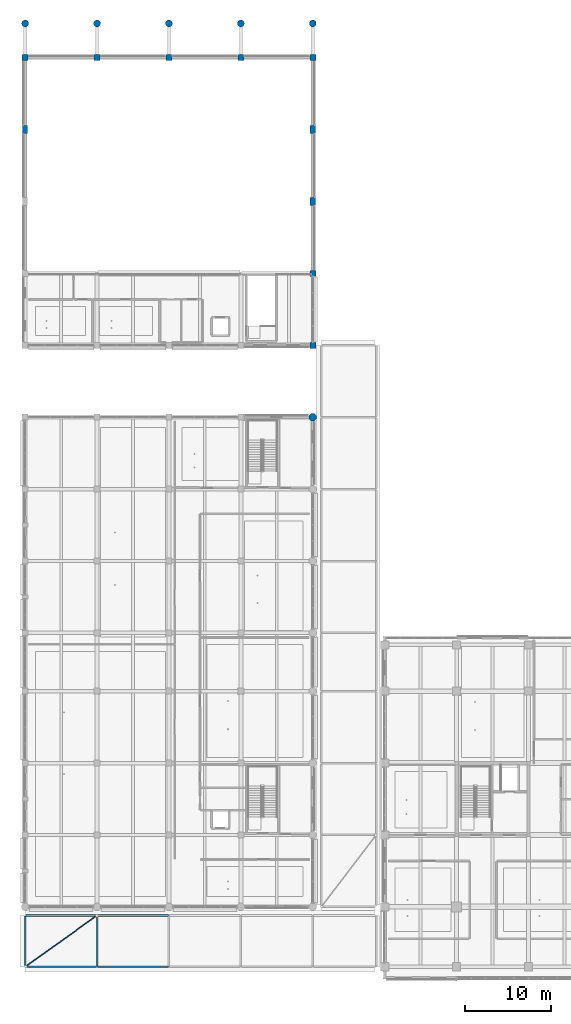
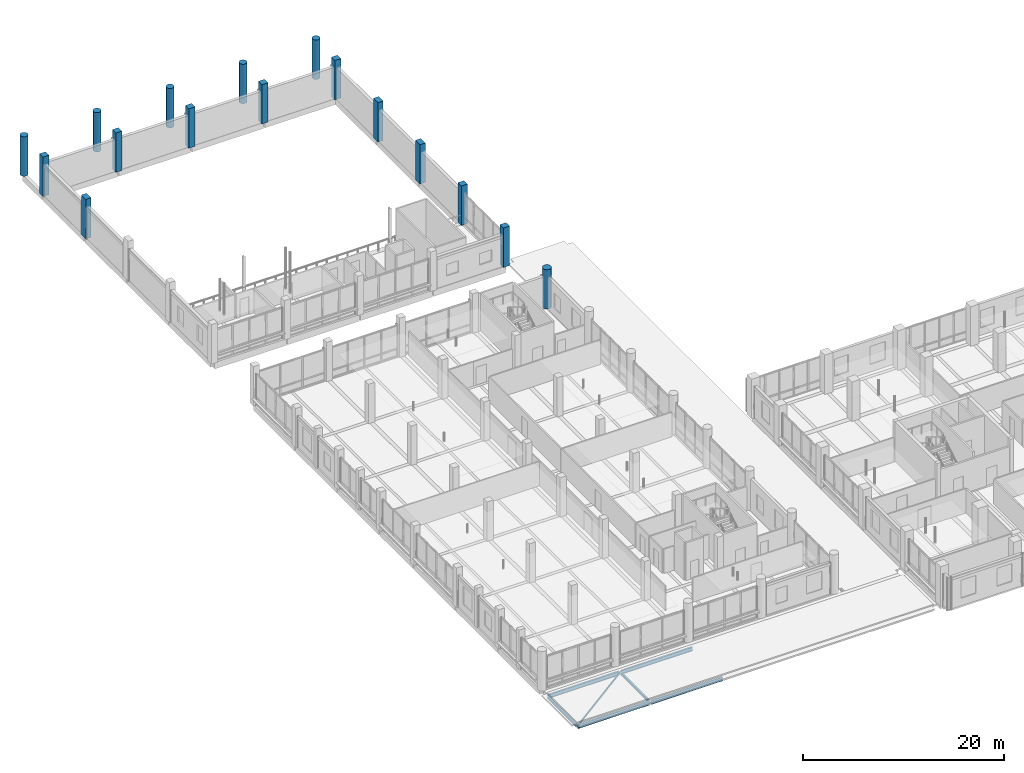
# One storey, part 3 of 128: 16 columns, 6 beams, 1 member.
"""IFC4 building model written with IfcOpenShell, lengths in metres."""

from ifc_helpers import new_model, si_unit, direction, frame, origin, origin_2d, place, context, subcontext, project, spatial, rectangle, hollow_rectangle, circle, i_section, extrude, material, material_profile, profile_set, type_object, element, save


model = new_model("IFC4")

# Units and contexts
model_context = context("Model", 3, precision=1e-05, world=origin(), true_north=direction((0.0, 1.0)))
body_context = subcontext(model_context, "Body", "Model", "MODEL_VIEW")
ifc_project = project(units=[si_unit("LENGTHUNIT", "METRE"), si_unit("AREAUNIT", "SQUARE_METRE"), si_unit("VOLUMEUNIT", "CUBIC_METRE"), si_unit("PLANEANGLEUNIT", "RADIAN"), si_unit("MASSUNIT", "GRAM", prefix="KILO")], contexts=[model_context])

# Site, building, storey
site_placement = place(None, origin())
site = spatial("IfcSite", under=ifc_project, at=site_placement, CompositionType="ELEMENT")
building_placement = place(site_placement, origin())
building = spatial("IfcBuilding", under=site, at=building_placement, Name="Telukmera Botanical Conservatory", CompositionType="ELEMENT")
storey_placement = place(building_placement, frame((0.0, 0.0, 5.39990234375)))
storey = spatial("IfcBuildingStorey", under=building, at=storey_placement, Name="L01", CompositionType="ELEMENT", Elevation=5.39990234375)

# Columns
ifc_material_1 = material(Name="Concrete C40/50", Category="concrete")
ifc_material_profile_1 = material_profile(ifc_material_1, rectangle(XDim=0.60009765625, YDim=0.89990234375, at=origin_2d()), Name="RC 900x600")
ifc_profile_set_1 = profile_set([ifc_material_profile_1], Name="Concrete C40/50")
column_type_1 = type_object("IfcColumnType", Name="Col_C15", PredefinedType="COLUMN", material=ifc_profile_set_1)
for number, where, z_axis, x_axis, name in (
    (1, (8.39990234375, 108.39990234375, 0.0), (0.0, 0.0, 1.0), (1.0, 0.0, 0.0), "Column V2-L01 (8.4,108.4)"),
    (2, (42.0, 100.0, 0.0), (0.0, 0.0, 1.0), (1.0, 0.0, 0.0), "Column V2-L01 (42.0,100.0)"),
    (3, (42.0, 108.39990234375, 0.0), (0.0, 0.0, 1.0), (1.0, 0.0, 0.0), "Column V2-L01 (42.0,108.4)"),
):
    element("IfcColumn", number, at=place(storey_placement, frame(where, z_axis=z_axis, x_axis=x_axis)), inside=storey, type_object=column_type_1, Name=name, PredefinedType="COLUMN", context=body_context, shape_type="SweptSolid", body=[
        extrude(rectangle(XDim=0.60009765625, YDim=0.89990234375, at=origin_2d()), origin(), (0.0, 0.0, 1.0), 4.800048828125),
    ])
ifc_material_profile_2 = material_profile(ifc_material_1, circle(Radius=0.449951171875, at=origin_2d()), Name="RC D900")
ifc_profile_set_2 = profile_set([ifc_material_profile_2], Name="Concrete C40/50")
column_type_2 = type_object("IfcColumnType", Name="Col_C16", PredefinedType="COLUMN", material=ifc_profile_set_2)
column_placement = place(storey_placement, frame((42.0, 74.800048828125, 0.0), z_axis=(0.0, 0.0, 1.0), x_axis=(1.0, 0.0, 0.0)))
element("IfcColumn", 4, at=column_placement, inside=storey, type_object=column_type_2, Name="Column V3-L01 (42.0,74.8)", PredefinedType="COLUMN", context=body_context, shape_type="SweptSolid", body=[
    extrude(circle(Radius=0.449951171875, at=origin_2d()), origin(), (0.0, 0.0, 1.0), 4.800048828125),
])
ifc_material_profile_3 = material_profile(ifc_material_1, circle(Radius=0.39990234375, at=origin_2d()), Name="RC D800")
ifc_profile_set_3 = profile_set([ifc_material_profile_3], Name="Concrete C40/50")
column_type_3 = type_object("IfcColumnType", Name="Col_C18", PredefinedType="COLUMN", material=ifc_profile_set_3)
for number, where, z_axis, x_axis, name in (
    (5, (8.39990234375, 120.800048828125, 0.0), (0.0, 0.0, 1.0), (1.0, 0.0, 0.0), "Column V2-L01 (8.4,120.8)"),
    (6, (16.800048828125, 120.800048828125, 0.0), (0.0, 0.0, 1.0), (1.0, 0.0, 0.0), "Column V2-L01 (16.8,120.8)"),
    (7, (25.199951171875, 120.800048828125, 0.0), (0.0, 0.0, 1.0), (1.0, 0.0, 0.0), "Column V2-L01 (25.2,120.8)"),
    (8, (33.60009765625, 120.800048828125, 0.0), (0.0, 0.0, 1.0), (1.0, 0.0, 0.0), "Column V2-L01 (33.6,120.8)"),
    (9, (42.0, 120.800048828125, 0.0), (0.0, 0.0, 1.0), (1.0, 0.0, 0.0), "Column V2-L01 (42.0,120.8)"),
):
    element("IfcColumn", number, at=place(storey_placement, frame(where, z_axis=z_axis, x_axis=x_axis)), inside=storey, type_object=column_type_3, Name=name, PredefinedType="COLUMN", context=body_context, shape_type="SweptSolid", body=[
        extrude(circle(Radius=0.39990234375, at=origin_2d()), origin(), (0.0, 0.0, 1.0), 4.800048828125),
    ])
ifc_material_profile_4 = material_profile(ifc_material_1, rectangle(XDim=0.699951171875, YDim=0.699951171875, at=origin_2d()), Name="RC 700x700")
ifc_profile_set_4 = profile_set([ifc_material_profile_4], Name="Concrete C40/50")
column_type_4 = type_object("IfcColumnType", Name="Col_C9", PredefinedType="COLUMN", material=ifc_profile_set_4)
for number, where, z_axis, x_axis, name in (
    (10, (8.39990234375, 116.800048828125, 0.0), (0.0, 0.0, 1.0), (1.0, 0.0, 0.0), "Column V2-L01 (8.4,116.8)"),
    (11, (16.800048828125, 116.800048828125, 0.0), (0.0, 0.0, 1.0), (1.0, 0.0, 0.0), "Column V2-L01 (16.8,116.8)"),
    (12, (25.199951171875, 116.800048828125, 0.0), (0.0, 0.0, 1.0), (1.0, 0.0, 0.0), "Column V2-L01 (25.2,116.8)"),
    (13, (33.60009765625, 116.800048828125, 0.0), (0.0, 0.0, 1.0), (1.0, 0.0, 0.0), "Column V2-L01 (33.6,116.8)"),
    (14, (42.0, 83.199951171875, 0.0), (0.0, 0.0, 1.0), (1.0, 0.0, 0.0), "Column V2-L01 (42.0,83.2)"),
    (15, (42.0, 91.60009765625, 0.0), (0.0, 0.0, 1.0), (1.0, 0.0, 0.0), "Column V2-L01 (42.0,91.6)"),
    (16, (42.0, 116.800048828125, 0.0), (0.0, 0.0, 1.0), (1.0, 0.0, 0.0), "Column V2-L01 (42.0,116.8)"),
):
    element("IfcColumn", number, at=place(storey_placement, frame(where, z_axis=z_axis, x_axis=x_axis)), inside=storey, type_object=column_type_4, Name=name, PredefinedType="COLUMN", context=body_context, shape_type="SweptSolid", body=[
        extrude(rectangle(XDim=0.699951171875, YDim=0.699951171875, at=origin_2d()), origin(), (0.0, 0.0, 1.0), 4.800048828125),
    ])

# Beams
ifc_material_2 = material(Name="Steel S355", Category="steel")
ifc_material_profile_5 = material_profile(ifc_material_2, i_section(OverallWidth=0.19140625, OverallDepth=0.4599609375, WebThickness=0.010009765625, FlangeThickness=0.01611328125, FilletRadius=0.01025390625, at=origin_2d()), Name="UB 457x191x82")
ifc_profile_set_5 = profile_set([ifc_material_profile_5], Name="Steel S355")
beam_type_1 = type_object("IfcBeamType", Name="Beam_SB3", PredefinedType="BEAM", material=ifc_profile_set_5)
beam_1_placement = place(storey_placement, frame((8.47998046875, 10.60009765625, -0.389892578125), z_axis=(1.0, 0.0, 0.0), x_axis=(0.0, 1.0, 0.0)))
element("IfcBeam", 17, at=beam_1_placement, inside=storey, type_object=beam_type_1, Name="Canopy Steel Girder forecourt", PredefinedType="BEAM", context=body_context, shape_type="SweptSolid", body=[
    extrude(i_section(OverallWidth=0.19140625, OverallDepth=0.4599609375, WebThickness=0.010009765625, FlangeThickness=0.01611328125, FilletRadius=0.01025390625, at=origin_2d()), origin(), (0.0, 0.0, 1.0), 8.239990234375),
])
beam_2_placement = place(storey_placement, frame((16.8798828125, 10.60009765625, -0.389892578125), z_axis=(1.0, 0.0, 0.0), x_axis=(0.0, 1.0, 0.0)))
element("IfcBeam", 18, at=beam_2_placement, inside=storey, type_object=beam_type_1, Name="Canopy Steel Girder forecourt", PredefinedType="BEAM", context=body_context, shape_type="SweptSolid", body=[
    extrude(i_section(OverallWidth=0.19140625, OverallDepth=0.4599609375, WebThickness=0.010009765625, FlangeThickness=0.01611328125, FilletRadius=0.01025390625, at=origin_2d()), origin(), (0.0, 0.0, 1.0), 8.240234375),
])
beam_3_placement = place(storey_placement, frame((8.47998046875, 16.60009765625, -0.389892578125), z_axis=(1.0, 0.0, 0.0), x_axis=(0.0, 1.0, 0.0)))
element("IfcBeam", 19, at=beam_3_placement, inside=storey, type_object=beam_type_1, Name="Canopy Steel Girder forecourt", PredefinedType="BEAM", context=body_context, shape_type="SweptSolid", body=[
    extrude(i_section(OverallWidth=0.19140625, OverallDepth=0.4599609375, WebThickness=0.010009765625, FlangeThickness=0.01611328125, FilletRadius=0.01025390625, at=origin_2d()), origin(), (0.0, 0.0, 1.0), 8.239990234375),
])
beam_4_placement = place(storey_placement, frame((16.8798828125, 16.60009765625, -0.389892578125), z_axis=(1.0, 0.0, 0.0), x_axis=(0.0, 1.0, 0.0)))
element("IfcBeam", 20, at=beam_4_placement, inside=storey, type_object=beam_type_1, Name="Canopy Steel Girder forecourt", PredefinedType="BEAM", context=body_context, shape_type="SweptSolid", body=[
    extrude(i_section(OverallWidth=0.19140625, OverallDepth=0.4599609375, WebThickness=0.010009765625, FlangeThickness=0.01611328125, FilletRadius=0.01025390625, at=origin_2d()), origin(), (0.0, 0.0, 1.0), 8.240234375),
])
ifc_material_profile_6 = material_profile(ifc_material_2, i_section(OverallWidth=0.165771484375, OverallDepth=0.306640625, WebThickness=0.006591796875, FlangeThickness=0.01171875, FilletRadius=0.0087890625, at=origin_2d()), Name="UB 305x165x46")
ifc_profile_set_6 = profile_set([ifc_material_profile_6], Name="Steel S355")
beam_type_2 = type_object("IfcBeamType", Name="Beam_SB6", PredefinedType="JOIST", material=ifc_profile_set_6)
for number, where, z_axis, x_axis, name in (
    (21, (8.39990234375, 10.679931640625, -0.313232421875), (0.0, 1.0, 0.0), (-1.0, 0.0, 0.0), "Canopy Steel Purlin forecourt"),
    (22, (16.800048828125, 10.679931640625, -0.313232421875), (0.0, 1.0, 0.0), (-1.0, 0.0, 0.0), "Canopy Steel Purlin forecourt"),
):
    element("IfcBeam", number, at=place(storey_placement, frame(where, z_axis=z_axis, x_axis=x_axis)), inside=storey, type_object=beam_type_2, Name=name, PredefinedType="JOIST", context=body_context, shape_type="SweptSolid", body=[
        extrude(i_section(OverallWidth=0.165771484375, OverallDepth=0.306640625, WebThickness=0.006591796875, FlangeThickness=0.01171875, FilletRadius=0.0087890625, at=origin_2d()), origin(), (0.0, 0.0, 1.0), 5.840087890625),
    ])

# Member
ifc_material_profile_7 = material_profile(ifc_material_2, hollow_rectangle(XDim=0.10009765625, YDim=0.199951171875, WallThickness=0.00634765625, at=origin_2d()), Name="RHS 200x100x6.3")
ifc_profile_set_7 = profile_set([ifc_material_profile_7], Name="Steel S355")
member_type = type_object("IfcMemberType", Name="Mem_TD3", PredefinedType="BRACE", material=ifc_profile_set_7)
member_placement = place(storey_placement, frame((8.44873046875, 10.635009765625, -0.3798828125), z_axis=(0.813741555131, 0.581226876059, 0.0), x_axis=(-0.581226876059, 0.813741555131, 0.0)))
element("IfcMember", 23, at=member_placement, inside=storey, type_object=member_type, Name="Canopy Plan Wind Brace forecourt", PredefinedType="BRACE", context=body_context, shape_type="SweptSolid", body=[
    extrude(hollow_rectangle(XDim=0.10009765625, YDim=0.199951171875, WallThickness=0.00634765625, at=origin_2d()), origin(), (0.0, 0.0, 1.0), 10.202880859375),
])

save(model, "model.ifc")
